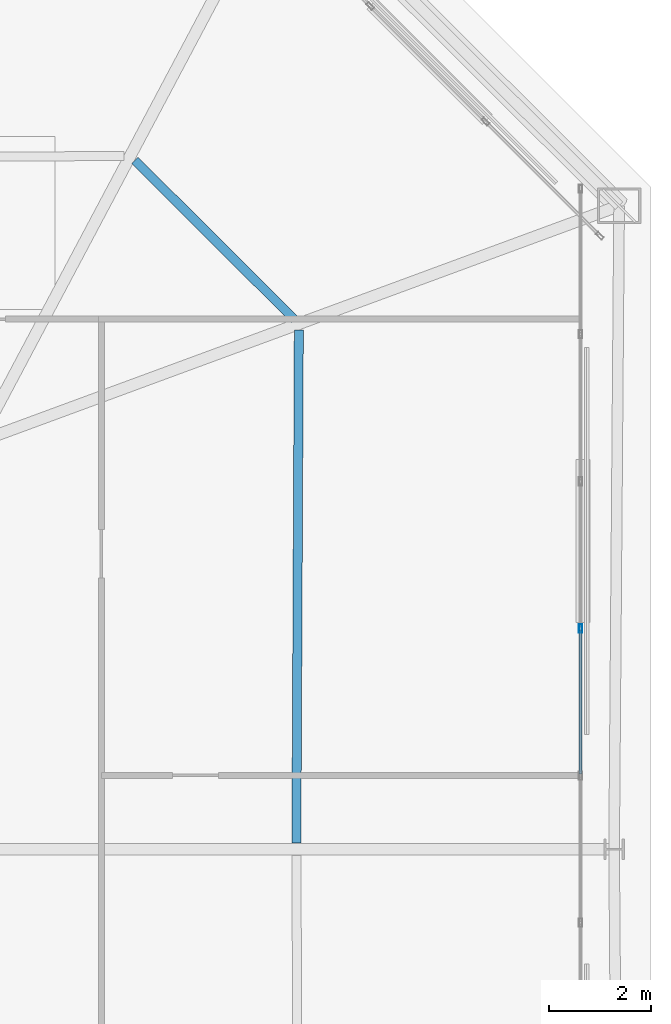
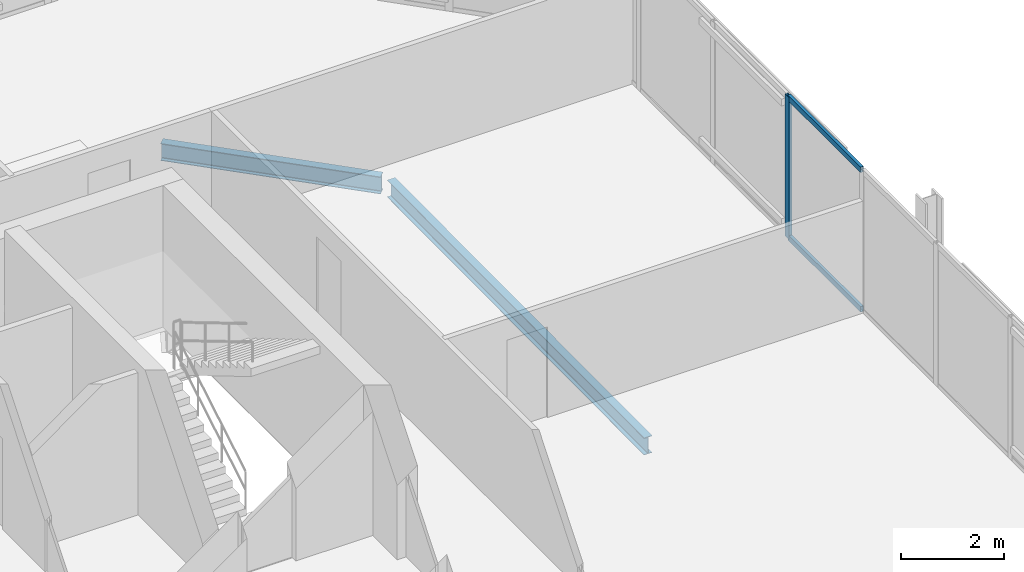
# One storey, part 23 of 39: 3 members, 2 beams, 1 element without a shape of its own.
"""IFC4 building model written with IfcOpenShell, lengths in metres."""

from ifc_helpers import new_model, si_unit, direction, frame, origin, origin_2d, place, context, subcontext, project, spatial, hollow_rectangle, i_section, extrude, material, layer, layer_set, material_profile, profile_set, type_object, element, aggregate, save


model = new_model("IFC4")

# Units and contexts
model_context = context("Model", 3, precision=1e-05, world=origin(), true_north=direction((0.0, 1.0)))
body_context = subcontext(model_context, "Body", "Model", "MODEL_VIEW")
ifc_project = project(units=[si_unit("LENGTHUNIT", "METRE"), si_unit("AREAUNIT", "SQUARE_METRE"), si_unit("VOLUMEUNIT", "CUBIC_METRE"), si_unit("PLANEANGLEUNIT", "RADIAN"), si_unit("MASSUNIT", "GRAM", prefix="KILO")], contexts=[model_context])

# Site, building, storey
site_placement = place(None, origin())
site = spatial("IfcSite", under=ifc_project, at=site_placement, CompositionType="ELEMENT")
building_placement = place(site_placement, origin())
building = spatial("IfcBuilding", under=site, at=building_placement, Name="Caelvoria Tower", CompositionType="ELEMENT")
storey_placement = place(building_placement, frame((0.0, 0.0, 198.60009765625)))
storey = spatial("IfcBuildingStorey", under=building, at=storey_placement, Name="L52", CompositionType="ELEMENT", Elevation=198.60009765625)

# Curtain wall, members
ifc_material_1 = material(Name="Anodised Bronze Aluminium and Low-E Glass", Category="aluminium")
ifc_layer = layer(ifc_material_1, 0.175048828125, Name="Anodised Bronze Aluminium and Low-E Glass")
ifc_layer_set = layer_set([ifc_layer], Name="CW System 4 High-Zone Tapered Crystal Facade - Anodised Bronze Aluminium and Low-E Glass")
curtain_wall_type = type_object("IfcCurtainWallType", Name="CW System 4 High-Zone Tapered Crystal Facade", PredefinedType="NOTDEFINED", material=ifc_layer_set)
curtain_wall_placement = place(storey_placement, origin())
curtain_wall = element("IfcCurtainWall", 1, at=curtain_wall_placement, inside=storey, type_object=curtain_wall_type, Name="CW-04 Curtain Wall L52-E2", PredefinedType="NOTDEFINED")
ifc_material_2 = material(Name="Anodised Bronze Architectural Aluminium", Category="aluminium")
ifc_material_profile_1 = material_profile(ifc_material_2, hollow_rectangle(XDim=0.06494140625, YDim=0.159912109375, WallThickness=0.00390625, at=origin_2d()), Name="Anodised Bronze Architectural Aluminium")
ifc_profile_set_1 = profile_set([ifc_material_profile_1], Name="CW_MULL_65X160 - Anodised Bronze Architectural Aluminium")
member_type_1 = type_object("IfcMemberType", Name="Curtain Wall Mullion 65x160 Bronze Aluminium", PredefinedType="MULLION", material=ifc_profile_set_1)
member_1_placement = place(storey_placement, frame((66.820068359375, 36.333251953125, 0.0), z_axis=(0.0, 0.0, 1.0), x_axis=(-1.0, 0.0, 0.0)))
member_1 = element("IfcMember", 2, at=member_1_placement, type_object=member_type_1, Name="CW-04 mullion 7", PredefinedType="MULLION", context=body_context, shape_type="SweptSolid", body=[
    extrude(hollow_rectangle(XDim=0.06494140625, YDim=0.159912109375, WallThickness=0.00390625, at=origin_2d()), origin(), (0.0, 0.0, 1.0), 3.375),
])
ifc_material_profile_2 = material_profile(ifc_material_2, hollow_rectangle(XDim=0.06494140625, YDim=0.1298828125, WallThickness=0.00341796875, at=origin_2d()), Name="Anodised Bronze Architectural Aluminium")
ifc_profile_set_2 = profile_set([ifc_material_profile_2], Name="CW_TRAN_65X130 - Anodised Bronze Architectural Aluminium")
member_type_2 = type_object("IfcMemberType", Name="Curtain Wall Transom 65x130 Bronze Aluminium", PredefinedType="USERDEFINED", material=ifc_profile_set_2)
member_2_placement = place(storey_placement, frame((66.820068359375, 33.47705078125, 0.032470703125), z_axis=(0.0, 1.0, 0.0), x_axis=(-1.0, 0.0, 0.0)))
member_2 = element("IfcMember", 3, at=member_2_placement, type_object=member_type_2, Name="CW-04 transom 6.1", ObjectType="TRANSOM", PredefinedType="USERDEFINED", context=body_context, shape_type="SweptSolid", body=[
    extrude(hollow_rectangle(XDim=0.06494140625, YDim=0.1298828125, WallThickness=0.00341796875, at=origin_2d()), origin(), (0.0, 0.0, 1.0), 2.82373046875),
])
member_3_placement = place(storey_placement, frame((66.820068359375, 33.47705078125, 3.34228515625), z_axis=(0.0, 1.0, 0.0), x_axis=(-1.0, 0.0, 0.0)))
member_3 = element("IfcMember", 4, at=member_3_placement, type_object=member_type_2, Name="CW-04 transom 6.2", ObjectType="TRANSOM", PredefinedType="USERDEFINED", context=body_context, shape_type="SweptSolid", body=[
    extrude(hollow_rectangle(XDim=0.06494140625, YDim=0.1298828125, WallThickness=0.00341796875, at=origin_2d()), origin(), (0.0, 0.0, 1.0), 2.82373046875),
])
aggregate(curtain_wall, [member_1, member_2, member_3])

# Beams
ifc_material_3 = material(Name="Structural Steel ASTM A992 Gr.50", Category="steel")
ifc_material_profile_3 = material_profile(ifc_material_3, i_section(OverallWidth=0.177978515625, OverallDepth=0.406982421875, WebThickness=0.0078125, FlangeThickness=0.0126953125, FilletRadius=0.013916015625, at=origin_2d()), Name="Structural Steel ASTM A992 Gr.50")
ifc_profile_set_3 = profile_set([ifc_material_profile_3], Name="W410X60 - Structural Steel ASTM A992 Gr.50")
beam_type = type_object("IfcBeamType", Name="Secondary Floor Beam W410X60", PredefinedType="BEAM", material=ifc_profile_set_3)
beam_1_placement = place(storey_placement, frame((61.240478515625, 32.125, -0.4287109375), z_axis=(0.004801225002, 0.999988474053, 0.0), x_axis=(-0.999988474053, 0.004801225002, 0.0)))
element("IfcBeam", 5, at=beam_1_placement, inside=storey, type_object=beam_type, Name="Secondary Floor Beam L52-04", PredefinedType="BEAM", context=body_context, shape_type="SweptSolid", body=[
    extrude(i_section(OverallWidth=0.177978515625, OverallDepth=0.406982421875, WebThickness=0.0078125, FlangeThickness=0.0126953125, FilletRadius=0.013916015625, at=origin_2d()), origin(), (0.0, 0.0, 1.0), 10.068115234375),
])
beam_2_placement = place(storey_placement, frame((61.20068359375, 42.40625, -0.4287109375), z_axis=(-0.708430431298, 0.705780648652, 0.0), x_axis=(-0.705780648652, -0.708430431298, 0.0)))
element("IfcBeam", 6, at=beam_2_placement, inside=storey, type_object=beam_type, Name="Secondary Floor Beam L52-05", PredefinedType="BEAM", context=body_context, shape_type="SweptSolid", body=[
    extrude(i_section(OverallWidth=0.177978515625, OverallDepth=0.406982421875, WebThickness=0.0078125, FlangeThickness=0.0126953125, FilletRadius=0.013916015625, at=origin_2d()), origin(), (0.0, 0.0, 1.0), 4.422607421875),
])

save(model, "model.ifc")
